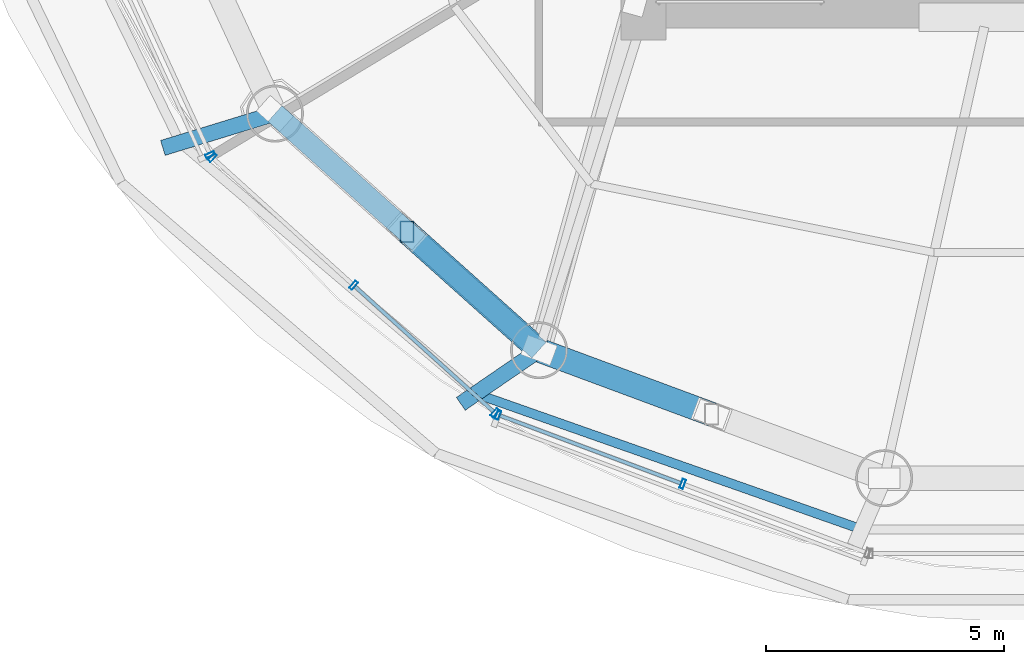
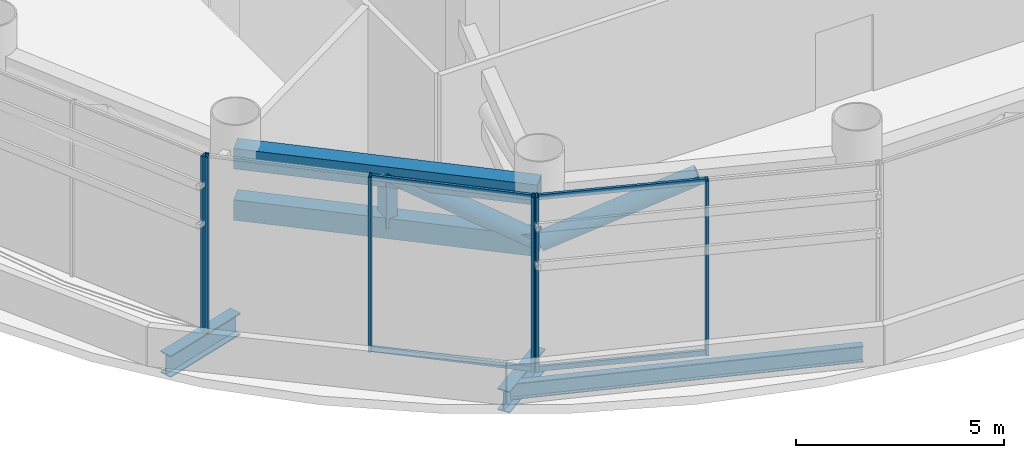
# One storey, part 2 of 25: 15 members, 3 beams, 3 elements without a shape of their own.
"""IFC4 building model written with IfcOpenShell, lengths in metres."""

from ifc_helpers import new_model, si_unit, direction, frame, origin, origin_2d, place, context, subcontext, project, spatial, hollow_rectangle, hollow_circle, i_section, extrude, source, transform, mapped, material, material_profile, profile_set, type_object, element, aggregate, save


model = new_model("IFC4")

# Units and contexts
model_context = context("Model", 3, precision=1e-05, world=origin(), true_north=direction((-0.2419218956, 0.970295726276)))
body_context = subcontext(model_context, "Body", "Model", "MODEL_VIEW")
ifc_project = project(units=[si_unit("LENGTHUNIT", "METRE"), si_unit("AREAUNIT", "SQUARE_METRE"), si_unit("VOLUMEUNIT", "CUBIC_METRE"), si_unit("PLANEANGLEUNIT", "RADIAN"), si_unit("MASSUNIT", "GRAM", prefix="KILO")], contexts=[model_context])

# Site, building, storey
site_placement = place(None, origin())
site = spatial("IfcSite", under=ifc_project, at=site_placement, CompositionType="ELEMENT")
building_placement = place(site_placement, origin())
building = spatial("IfcBuilding", under=site, at=building_placement, Name="Cobrevalo Terracotta Tower", CompositionType="ELEMENT")
storey_placement = place(building_placement, frame((0.0, 0.0, 185.800048828125)))
storey = spatial("IfcBuildingStorey", under=building, at=storey_placement, Name="L49", CompositionType="ELEMENT", Elevation=185.800048828125)

# Beams
ifc_material_1 = material(Name="Steel S355", Category="steel")
ifc_material_profile_1 = material_profile(ifc_material_1, i_section(OverallWidth=0.3291015625, OverallDepth=0.635009765625, WebThickness=0.017822265625, FlangeThickness=0.031005859375, at=origin_2d()), Name="W 610x241")
ifc_profile_set_1 = profile_set([ifc_material_profile_1], Name="Steel S355")
beam_type_1 = type_object("IfcBeamType", Name="Structural Beam W 610x241 (Steel S355)", PredefinedType="BEAM", material=ifc_profile_set_1)
beam_1_placement = place(storey_placement, frame((18.886962890625, 16.049560546875, -0.767578125), z_axis=(0.956165466877, 0.292826911249, 0.0), x_axis=(-0.292826911249, 0.956165466877, 0.0)))
element("IfcBeam", 1, at=beam_1_placement, inside=storey, type_object=beam_type_1, Name="L49 setback step-link girder 10", PredefinedType="BEAM", context=body_context, shape_type="SweptSolid", body=[
    extrude(i_section(OverallWidth=0.3291015625, OverallDepth=0.635009765625, WebThickness=0.017822265625, FlangeThickness=0.031005859375, at=origin_2d()), origin(), (0.0, 0.0, 1.0), 2.467041015625),
])
beam_2_placement = place(storey_placement, frame((25.158447265625, 10.662353515625, -0.767578125), z_axis=(0.824622940219, 0.565682779006, 0.0), x_axis=(-0.565682779006, 0.824622940219, 0.0)))
element("IfcBeam", 2, at=beam_2_placement, inside=storey, type_object=beam_type_1, Name="L49 setback step-link girder 11", PredefinedType="BEAM", context=body_context, shape_type="SweptSolid", body=[
    extrude(i_section(OverallWidth=0.3291015625, OverallDepth=0.635009765625, WebThickness=0.017822265625, FlangeThickness=0.031005859375, at=origin_2d()), origin(), (0.0, 0.0, 1.0), 1.996826171875),
])
ifc_material_profile_2 = material_profile(ifc_material_1, i_section(OverallWidth=0.194091796875, OverallDepth=0.468994140625, WebThickness=0.011474609375, FlangeThickness=0.0205078125, at=origin_2d()), Name="W 460x106")
ifc_profile_set_2 = profile_set([ifc_material_profile_2], Name="Steel S355")
beam_type_2 = type_object("IfcBeamType", Name="Structural Spandrel W 460x106 (Steel S355)", PredefinedType="SPANDREL", material=ifc_profile_set_2)
beam_3_placement = place(storey_placement, frame((25.471923828125, 10.87744140625, -0.6845703125), z_axis=(0.943341298492, -0.331824041565, 0.0), x_axis=(0.331824041565, 0.943341298492, 0.0)))
element("IfcBeam", 3, at=beam_3_placement, inside=storey, type_object=beam_type_2, Name="L49 perimeter ring spandrel 11", PredefinedType="SPANDREL", context=body_context, shape_type="SweptSolid", body=[
    extrude(i_section(OverallWidth=0.194091796875, OverallDepth=0.468994140625, WebThickness=0.011474609375, FlangeThickness=0.0205078125, at=origin_2d()), origin(), (0.0, 0.0, 1.0), 8.6171875),
])

# Members
ifc_material_profile_3 = material_profile(ifc_material_1, hollow_rectangle(XDim=0.300048828125, YDim=0.449951171875, WallThickness=0.02001953125, at=origin_2d()), Name="RHS 450x300x20")
ifc_profile_set_3 = profile_set([ifc_material_profile_3], Name="Steel S355")
member_type_1 = type_object("IfcMemberType", Name="Steel Post RHS 450x300x20 (Steel S355)", PredefinedType="POST", material=ifc_profile_set_3)
shared_shape_1 = source(origin(), body_context, "Body", "SweptSolid", [
    extrude(hollow_rectangle(XDim=0.300048828125, YDim=0.449951171875, WallThickness=0.02001953125, at=origin_2d()), origin(), (0.0, 0.0, 1.0), 1.505126953125),
])
member_1_placement = place(storey_placement, frame((24.025634765625, 14.281982421875, 2.64990234375), z_axis=(0.0, 0.0, 1.0), x_axis=(1.0, 0.0, 0.0)))
element("IfcMember", 4, at=member_1_placement, inside=storey, type_object=member_type_1, Name="L49 belt truss post 10", PredefinedType="POST", context=body_context, shape_type="MappedRepresentation", body=[
    mapped(shared_shape_1, transform((0.0, 0.0, 0.0), scale=1.0)),
])
ifc_material_profile_4 = material_profile(ifc_material_1, hollow_rectangle(XDim=0.449951171875, YDim=0.60009765625, WallThickness=0.028076171875, at=origin_2d()), Name="RHS 600x450x28")
ifc_profile_set_4 = profile_set([ifc_material_profile_4], Name="Steel S355")
member_type_2 = type_object("IfcMemberType", Name="Steel Chord RHS 600x450x28 (Steel S355)", PredefinedType="CHORD", material=ifc_profile_set_4)
shared_shape_2 = source(origin(), body_context, "Body", "SweptSolid", [
    extrude(hollow_rectangle(XDim=0.449951171875, YDim=0.60009765625, WallThickness=0.028076171875, at=origin_2d()), origin(), (0.0, 0.0, 1.0), 7.463623046875),
])
for number, where, z_axis, x_axis, name in (
    (5, (21.245849609375, 16.77197265625, 2.64990234375), (0.744851930997, -0.667229796165, 0.0), (0.667229796165, 0.744851930997, 0.0), "L49 belt truss chord 10-BC"),
    (6, (21.245849609375, 16.77197265625, 4.155029296875), (0.744851930997, -0.667229796165, 0.0), (0.667229796165, 0.744851930997, 0.0), "L49 belt truss chord 10-TC"),
):
    element("IfcMember", number, at=place(storey_placement, frame(where, z_axis=z_axis, x_axis=x_axis)), inside=storey, type_object=member_type_2, Name=name, PredefinedType="CHORD", context=body_context, shape_type="MappedRepresentation", body=[
        mapped(shared_shape_2, transform((0.0, 0.0, 0.0), scale=1.0)),
    ])
ifc_material_profile_5 = material_profile(ifc_material_1, hollow_circle(Radius=0.25390625, WallThickness=0.02001953125, at=origin_2d()), Name="CHS 508x20")
ifc_profile_set_5 = profile_set([ifc_material_profile_5], Name="Steel S355")
member_type_3 = type_object("IfcMemberType", Name="Steel Brace CHS 508x20 (Steel S355)", PredefinedType="BRACE", material=ifc_profile_set_5)
shared_shape_3 = source(origin(), body_context, "Body", "SweptSolid", [
    extrude(hollow_circle(Radius=0.25390625, WallThickness=0.02001953125, at=origin_2d()), origin(), (0.0, 0.0, 1.0), 4.02392578125),
])
member_2_placement = place(storey_placement, frame((26.80517578125, 11.7919921875, 2.64990234375), z_axis=(-0.690767881971, 0.618809102172, 0.374052173241), x_axis=(-0.667246053133, -0.744837367872, 0.0)))
element("IfcMember", 7, at=member_2_placement, inside=storey, type_object=member_type_3, Name="L49 belt truss diagonal brace 10-D2", PredefinedType="BRACE", context=body_context, shape_type="MappedRepresentation", body=[
    mapped(shared_shape_3, transform((0.0, 0.0, 0.0), scale=1.0)),
])
shared_shape_4 = source(origin(), body_context, "Body", "SweptSolid", [
    extrude(hollow_circle(Radius=0.25390625, WallThickness=0.02001953125, at=origin_2d()), origin(), (0.0, 0.0, 1.0), 4.156005859375),
])
member_3_placement = place(storey_placement, frame((26.80517578125, 11.7919921875, 2.64990234375), z_axis=(0.873890886812, -0.324272499005, 0.362163035574), x_axis=(0.347889027276, 0.93753571916, 0.0)))
element("IfcMember", 8, at=member_3_placement, inside=storey, type_object=member_type_3, Name="L49 belt truss diagonal brace 11-D1", PredefinedType="BRACE", context=body_context, shape_type="MappedRepresentation", body=[
    mapped(shared_shape_4, transform((0.0, 0.0, 0.0), scale=1.0)),
])

# Curtain wall, member
ifc_material_2 = material(Name="Anodized aluminium", Category="aluminium")
curtain_wall_type = type_object("IfcCurtainWallType", Name="Belt-truss plant acoustic weather-louvre curtain wall CW-LV", PredefinedType="NOTDEFINED", material=ifc_material_2)
curtain_wall_1_placement = place(storey_placement, origin())
curtain_wall_1 = element("IfcCurtainWall", 9, at=curtain_wall_1_placement, inside=storey, type_object=curtain_wall_type, Name="L49 curtain wall CW-LV-L49-S09", PredefinedType="NOTDEFINED")
ifc_material_profile_6 = material_profile(ifc_material_2, hollow_rectangle(XDim=0.074951171875, YDim=0.199951171875, WallThickness=0.0048828125, at=origin_2d()), Name="CWM 75x200")
ifc_profile_set_6 = profile_set([ifc_material_profile_6], Name="Anodized aluminium")
member_type_4 = type_object("IfcMemberType", Name="Lower/mid tower unitised mullion 75x200", PredefinedType="MULLION", material=ifc_profile_set_6)
shared_shape_5 = source(origin(), body_context, "Body", "SweptSolid", [
    extrude(hollow_rectangle(XDim=0.074951171875, YDim=0.199951171875, WallThickness=0.0048828125, at=origin_2d()), origin(), (0.0, 0.0, 1.0), 5.135009765625),
])
member_4_placement = place(storey_placement, frame((19.88232421875, 15.908203125, 0.0), z_axis=(0.0, 0.0, 1.0), x_axis=(0.41672507912, -0.909032567311, 0.0)))
member_4 = element("IfcMember", 10, at=member_4_placement, type_object=member_type_4, Name="CW-LV-L49-S09 vertical mullion 03", PredefinedType="MULLION", context=body_context, shape_type="MappedRepresentation", body=[
    mapped(shared_shape_5, transform((0.0, 0.0, 0.0), scale=1.0)),
])
aggregate(curtain_wall_1, [member_4])

# Curtain wall, members
curtain_wall_2_placement = place(storey_placement, origin())
curtain_wall_2 = element("IfcCurtainWall", 11, at=curtain_wall_2_placement, inside=storey, type_object=curtain_wall_type, Name="L49 curtain wall CW-LV-L49-S10", PredefinedType="NOTDEFINED")
member_5_placement = place(storey_placement, frame((19.928466796875, 15.84521484375, 0.0), z_axis=(0.0, 0.0, 1.0), x_axis=(0.741987542015, -0.670413668935, 0.0)))
member_5 = element("IfcMember", 12, at=member_5_placement, type_object=member_type_4, Name="CW-LV-L49-S10 vertical mullion 01", PredefinedType="MULLION", context=body_context, shape_type="MappedRepresentation", body=[
    mapped(shared_shape_5, transform((0.0, 0.0, 0.0), scale=1.0)),
])
member_6_placement = place(storey_placement, frame((22.902099609375, 13.158447265625, 0.0), z_axis=(0.0, 0.0, 1.0), x_axis=(0.741987542015, -0.670413668935, 0.0)))
member_6 = element("IfcMember", 13, at=member_6_placement, type_object=member_type_4, Name="CW-LV-L49-S10 vertical mullion 02", PredefinedType="MULLION", context=body_context, shape_type="MappedRepresentation", body=[
    mapped(shared_shape_5, transform((0.0, 0.0, 0.0), scale=1.0)),
])
member_7_placement = place(storey_placement, frame((25.87548828125, 10.471923828125, 0.0), z_axis=(0.0, 0.0, 1.0), x_axis=(0.741987542015, -0.670413668935, 0.0)))
member_7 = element("IfcMember", 14, at=member_7_placement, type_object=member_type_4, Name="CW-LV-L49-S10 vertical mullion 03", PredefinedType="MULLION", context=body_context, shape_type="MappedRepresentation", body=[
    mapped(shared_shape_5, transform((0.0, 0.0, 0.0), scale=1.0)),
])

curtain_wall_3_placement = place(storey_placement, origin())
curtain_wall_3 = element("IfcCurtainWall", 15, at=curtain_wall_3_placement, inside=storey, type_object=curtain_wall_type, Name="L49 curtain wall CW-LV-L49-S11", PredefinedType="NOTDEFINED")
member_8_placement = place(storey_placement, frame((25.942626953125, 10.430908203125, 0.0), z_axis=(0.0, 0.0, 1.0), x_axis=(0.936556004584, -0.350517974259, 0.0)))
member_8 = element("IfcMember", 16, at=member_8_placement, type_object=member_type_4, Name="CW-LV-L49-S11 vertical mullion 01", PredefinedType="MULLION", context=body_context, shape_type="MappedRepresentation", body=[
    mapped(shared_shape_5, transform((0.0, 0.0, 0.0), scale=1.0)),
])
member_9_placement = place(storey_placement, frame((29.8291015625, 8.9765625, 0.0), z_axis=(0.0, 0.0, 1.0), x_axis=(0.936556004584, -0.350517974259, 0.0)))
member_9 = element("IfcMember", 17, at=member_9_placement, type_object=member_type_4, Name="CW-LV-L49-S11 vertical mullion 02", PredefinedType="MULLION", context=body_context, shape_type="MappedRepresentation", body=[
    mapped(shared_shape_5, transform((0.0, 0.0, 0.0), scale=1.0)),
])

# Member
ifc_material_profile_7 = material_profile(ifc_material_2, hollow_rectangle(XDim=0.074951171875, YDim=0.14990234375, WallThickness=0.00439453125, at=origin_2d()), Name="CWT 75x150")
ifc_profile_set_7 = profile_set([ifc_material_profile_7], Name="Anodized aluminium")
member_type_5 = type_object("IfcMemberType", Name="Tower unitised aluminium transom 75x150", PredefinedType="USERDEFINED", material=ifc_profile_set_7)
shared_shape_6 = source(origin(), body_context, "Body", "SweptSolid", [
    extrude(hollow_rectangle(XDim=0.074951171875, YDim=0.14990234375, WallThickness=0.00439453125, at=origin_2d()), origin(), (0.0, 0.0, 1.0), 3.927734375),
])
member_10_placement = place(storey_placement, frame((22.931640625, 13.131591796875, 0.050048828125), z_axis=(0.742003891138, -0.670395573923, 0.0), x_axis=(0.670395573923, 0.742003891138, 0.0)))
member_10 = element("IfcMember", 18, at=member_10_placement, type_object=member_type_5, Name="CW-LV-L49-S10 transom B02-T1", ObjectType="TRANSOM", PredefinedType="USERDEFINED", context=body_context, shape_type="MappedRepresentation", body=[
    mapped(shared_shape_6, transform((0.0, 0.0, 0.0), scale=1.0)),
])

member_11_placement = place(storey_placement, frame((22.931640625, 13.131591796875, 5.0849609375), z_axis=(0.742003891138, -0.670395573923, 0.0), x_axis=(0.670395573923, 0.742003891138, 0.0)))
member_11 = element("IfcMember", 19, at=member_11_placement, type_object=member_type_5, Name="CW-LV-L49-S10 transom B02-T2", ObjectType="TRANSOM", PredefinedType="USERDEFINED", context=body_context, shape_type="MappedRepresentation", body=[
    mapped(shared_shape_6, transform((0.0, 0.0, 0.0), scale=1.0)),
])

aggregate(curtain_wall_2, [member_5, member_6, member_7, member_10, member_11])

shared_shape_7 = source(origin(), body_context, "Body", "SweptSolid", [
    extrude(hollow_rectangle(XDim=0.074951171875, YDim=0.14990234375, WallThickness=0.00439453125, at=origin_2d()), origin(), (0.0, 0.0, 1.0), 4.069580078125),
])
member_12_placement = place(storey_placement, frame((25.980224609375, 10.4169921875, 0.050048828125), z_axis=(0.936548420649, -0.350538237259, 0.0), x_axis=(0.350538237259, 0.936548420649, 0.0)))
member_12 = element("IfcMember", 20, at=member_12_placement, type_object=member_type_5, Name="CW-LV-L49-S11 transom B01-T1", ObjectType="TRANSOM", PredefinedType="USERDEFINED", context=body_context, shape_type="MappedRepresentation", body=[
    mapped(shared_shape_7, transform((0.0, 0.0, 0.0), scale=1.0)),
])

member_13_placement = place(storey_placement, frame((25.980224609375, 10.4169921875, 5.0849609375), z_axis=(0.936548420649, -0.350538237259, 0.0), x_axis=(0.350538237259, 0.936548420649, 0.0)))
member_13 = element("IfcMember", 21, at=member_13_placement, type_object=member_type_5, Name="CW-LV-L49-S11 transom B01-T2", ObjectType="TRANSOM", PredefinedType="USERDEFINED", context=body_context, shape_type="MappedRepresentation", body=[
    mapped(shared_shape_7, transform((0.0, 0.0, 0.0), scale=1.0)),
])

aggregate(curtain_wall_3, [member_8, member_9, member_12, member_13])

save(model, "model.ifc")
